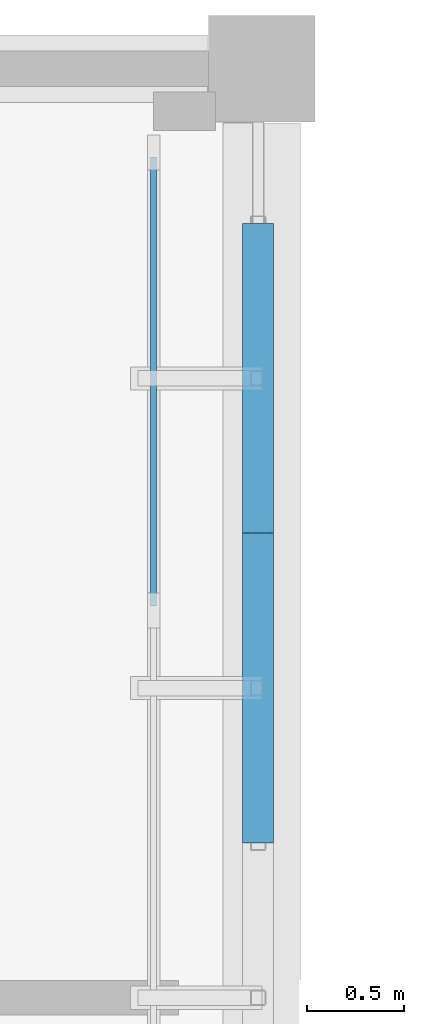
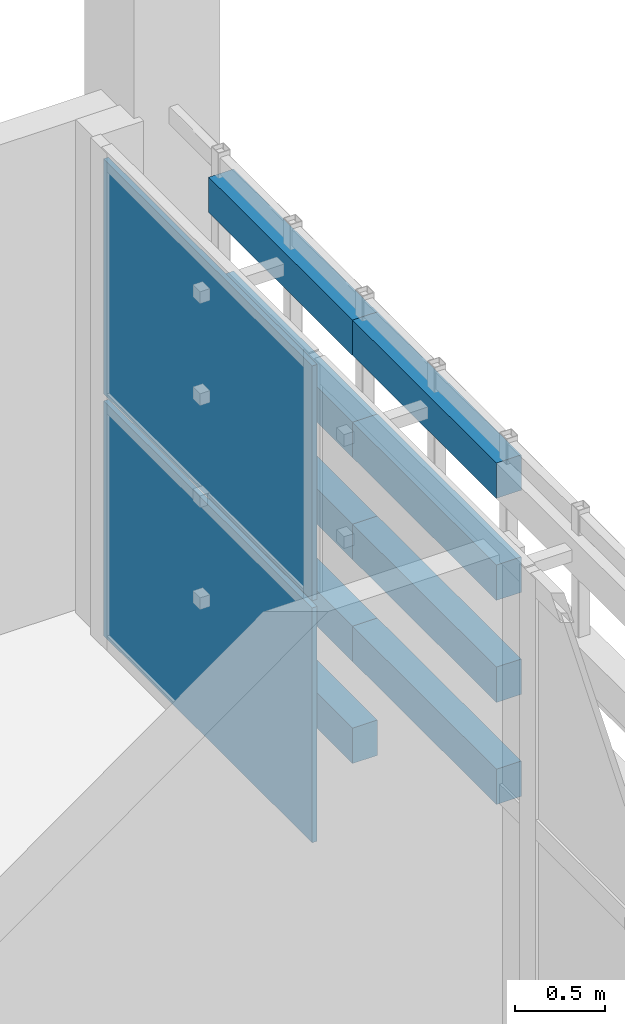
# One storey, part 62 of 83: 11 plates, 1 element without a shape of its own.
"""IFC4 building model written with IfcOpenShell, lengths in metres."""

from ifc_helpers import new_model, si_unit, direction, frame, origin, origin_2d, place, context, subcontext, project, spatial, rectangle, extrude, material, layer, layer_set, type_object, element, aggregate, save


model = new_model("IFC4")

# Units and contexts
model_context = context("Model", 3, precision=1e-05, world=origin(), true_north=direction((0.0, 1.0)))
body_context = subcontext(model_context, "Body", "Model", "MODEL_VIEW")
ifc_project = project(units=[si_unit("LENGTHUNIT", "METRE"), si_unit("AREAUNIT", "SQUARE_METRE"), si_unit("VOLUMEUNIT", "CUBIC_METRE"), si_unit("PLANEANGLEUNIT", "RADIAN"), si_unit("MASSUNIT", "GRAM", prefix="KILO")], contexts=[model_context])

# Site, building, storey
site_placement = place(None, origin())
site = spatial("IfcSite", under=ifc_project, at=site_placement, CompositionType="ELEMENT")
building_placement = place(site_placement, origin())
building = spatial("IfcBuilding", under=site, at=building_placement, Name="Jelvoka-Kovrelna Polytechnic", CompositionType="ELEMENT")
storey_placement = place(building_placement, frame((0.0, 0.0, 13.800048828125)))
storey = spatial("IfcBuildingStorey", under=building, at=storey_placement, Name="L04", CompositionType="ELEMENT", Elevation=13.800048828125)

# Curtain wall, plates
ifc_material_1 = material(Name="Anodised aluminium 6063-T6", Category="aluminium")
ifc_layer_1 = layer(ifc_material_1, 0.179931640625)
ifc_layer_set_1 = layer_set([ifc_layer_1], Name="Anodised aluminium 6063-T6")
curtain_wall_type = type_object("IfcCurtainWallType", Name="CW_Recessed_B", PredefinedType="NOTDEFINED", material=ifc_layer_set_1)
curtain_wall_placement = place(storey_placement, origin())
curtain_wall = element("IfcCurtainWall", 1, at=curtain_wall_placement, inside=storey, type_object=curtain_wall_type, Name="L04 glazed curtain wall 088", PredefinedType="NOTDEFINED")
ifc_material_2 = material(Name="Solar-control double glazing", Category="glass")
ifc_layer_2 = layer(ifc_material_2, 0.031982421875)
ifc_layer_set_2 = layer_set([ifc_layer_2], Name="Solar-control double glazing")
plate_type_1 = type_object("IfcPlateType", Name="Panel_GP-02", PredefinedType="CURTAIN_PANEL", material=ifc_layer_set_2)
plate_1_placement = place(storey_placement, frame((191.43994140625, 70.3837890625, 0.056884765625), z_axis=(0.0, 0.0, 1.0), x_axis=(0.0, -1.0, 0.0)))
plate_1 = element("IfcPlate", 2, at=plate_1_placement, type_object=plate_type_1, Name="CW-02 panel 1.1", PredefinedType="CURTAIN_PANEL", context=body_context, shape_type="SweptSolid", body=[
    extrude(rectangle(XDim=2.318603515625, YDim=0.031982421875, at=origin_2d()), origin(), (0.0, 0.0, 1.0), 1.593505859375),
])
plate_2_placement = place(storey_placement, frame((191.43994140625, 70.3837890625, 1.699462890625), z_axis=(0.0, 0.0, 1.0), x_axis=(0.0, -1.0, 0.0)))
plate_2 = element("IfcPlate", 3, at=plate_2_placement, type_object=plate_type_1, Name="CW-02 panel 1.2", PredefinedType="CURTAIN_PANEL", context=body_context, shape_type="SweptSolid", body=[
    extrude(rectangle(XDim=2.318603515625, YDim=0.031982421875, at=origin_2d()), origin(), (0.0, 0.0, 1.0), 1.593505859375),
])
aggregate(curtain_wall, [plate_1, plate_2])

# Plates
ifc_material_3 = material(Name="Perforated fired terracotta block", Category="masonry")
ifc_layer_3 = layer(ifc_material_3, 0.159912109375)
ifc_layer_set_3 = layer_set([ifc_layer_3], Name="Perforated fired terracotta block")
plate_type_2 = type_object("IfcPlateType", Name="Screen_Terracotta_TP01", PredefinedType="USERDEFINED", material=ifc_layer_set_3)
for number, where, z_axis, x_axis, name in (
    (4, (191.97998046875, 68.800048828125, 0.892578125), (0.0, 0.0, 1.0), (0.0, 1.0, 0.0), "L04 perforated terracotta lattice band 1112"),
    (5, (191.97998046875, 68.800048828125, 1.5849609375), (0.0, 0.0, 1.0), (0.0, 1.0, 0.0), "L04 perforated terracotta lattice band 1113"),
    (6, (191.97998046875, 68.800048828125, 2.27734375), (0.0, 0.0, 1.0), (0.0, 1.0, 0.0), "L04 perforated terracotta lattice band 1114"),
    (7, (191.97998046875, 68.800048828125, 2.9697265625), (0.0, 0.0, 1.0), (0.0, 1.0, 0.0), "L04 perforated terracotta lattice band 1115"),
    (8, (191.97998046875, 70.39990234375, 0.2001953125), (0.0, 0.0, 1.0), (0.0, 1.0, 0.0), "L04 perforated terracotta lattice band 1116"),
    (9, (191.97998046875, 70.39990234375, 0.892578125), (0.0, 0.0, 1.0), (0.0, 1.0, 0.0), "L04 perforated terracotta lattice band 1117"),
    (10, (191.97998046875, 70.39990234375, 1.5849609375), (0.0, 0.0, 1.0), (0.0, 1.0, 0.0), "L04 perforated terracotta lattice band 1118"),
    (11, (191.97998046875, 70.39990234375, 2.27734375), (0.0, 0.0, 1.0), (0.0, 1.0, 0.0), "L04 perforated terracotta lattice band 1119"),
    (12, (191.97998046875, 70.39990234375, 2.9697265625), (0.0, 0.0, 1.0), (0.0, 1.0, 0.0), "L04 perforated terracotta lattice band 1120"),
):
    element("IfcPlate", number, at=place(storey_placement, frame(where, z_axis=z_axis, x_axis=x_axis)), inside=storey, type_object=plate_type_2, Name=name, ObjectType="SCREEN PANEL", PredefinedType="USERDEFINED", context=body_context, shape_type="SweptSolid", body=[
        extrude(rectangle(XDim=1.60009765625, YDim=0.159912109375, at=origin_2d()), origin(), (0.0, 0.0, 1.0), 0.239990234375),
    ])

save(model, "model.ifc")
